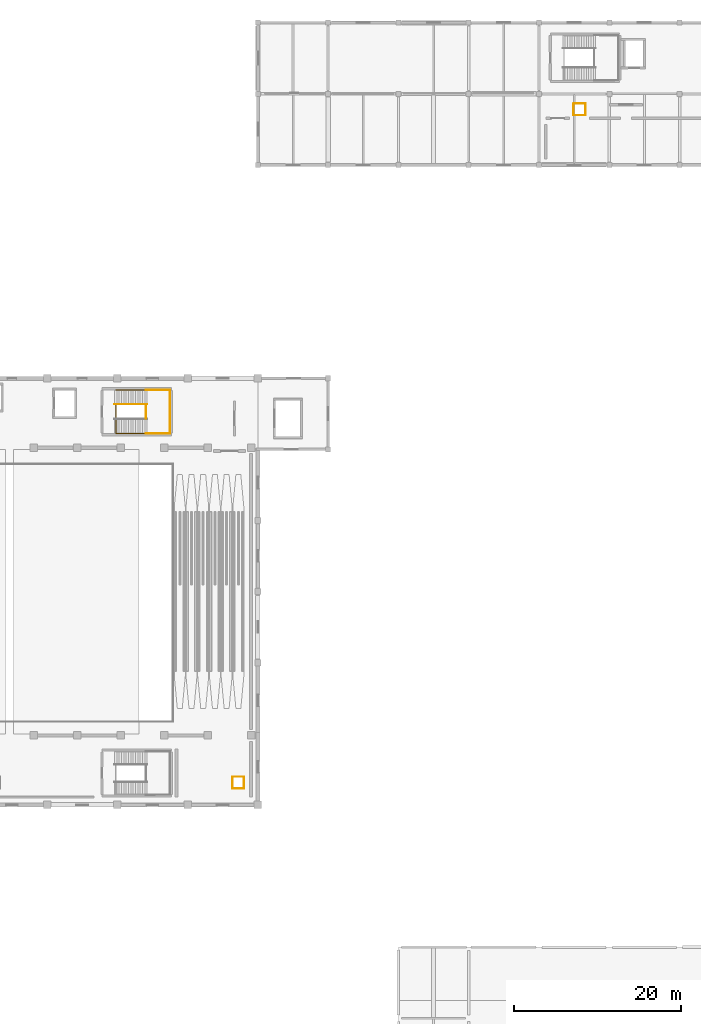
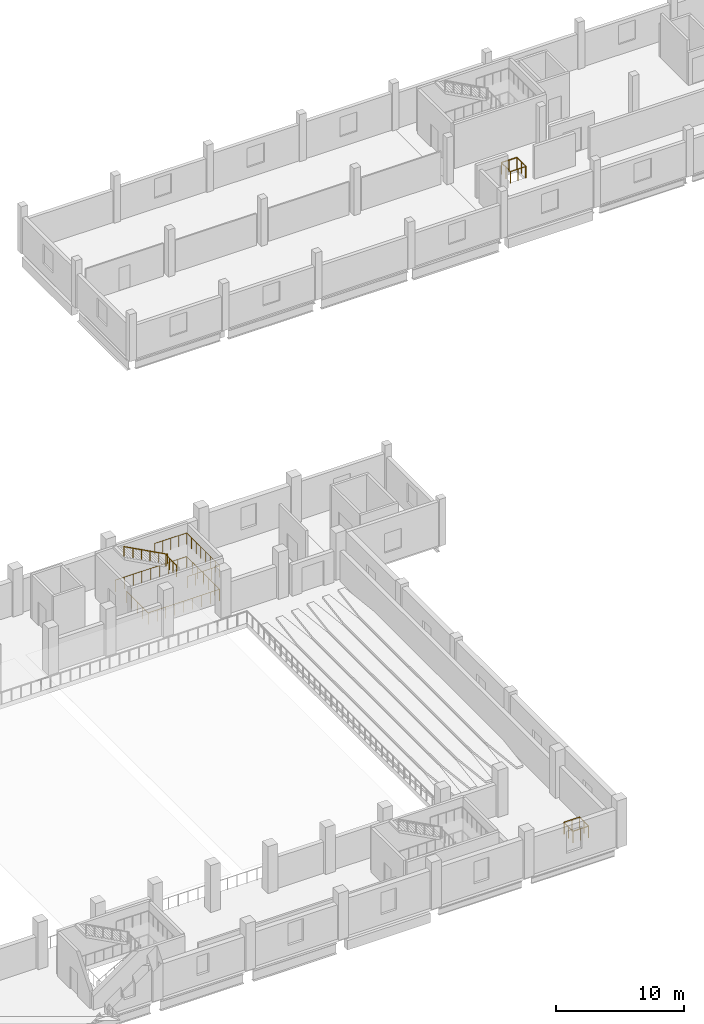
# One storey, part 48 of 50: 8 railings.
"""IFC4 building model written with IfcOpenShell, lengths in metres."""

from ifc_helpers import new_model, si_unit, direction, frame, origin, origin_2d, place, context, subcontext, project, spatial, circle, extrude, material, type_object, element, save


model = new_model("IFC4")

# Units and contexts
model_context = context("Model", 3, precision=1e-05, world=origin(), true_north=direction((0.0, 1.0)))
body_context = subcontext(model_context, "Body", "Model", "MODEL_VIEW")
ifc_project = project(units=[si_unit("LENGTHUNIT", "METRE"), si_unit("AREAUNIT", "SQUARE_METRE"), si_unit("VOLUMEUNIT", "CUBIC_METRE"), si_unit("PLANEANGLEUNIT", "RADIAN"), si_unit("MASSUNIT", "GRAM", prefix="KILO")], contexts=[model_context])

# Site, building, storey
site_placement = place(None, origin())
site = spatial("IfcSite", under=ifc_project, at=site_placement, CompositionType="ELEMENT")
building_placement = place(site_placement, origin())
building = spatial("IfcBuilding", under=site, at=building_placement, Name="Solvento Point Concert Hall", CompositionType="ELEMENT")
storey_placement = place(building_placement, frame((0.0, 0.0, 15.0)))
storey = spatial("IfcBuildingStorey", under=building, at=storey_placement, Name="L03", CompositionType="ELEMENT", Elevation=15.0)

# Railings
ifc_material_1 = material(Name="Brushed Stainless Steel Balustrade", Category="steel")
railing_type_1 = type_object("IfcRailingType", Name="StairHandrail_915", PredefinedType="HANDRAIL", material=ifc_material_1)
railing_1_placement = place(storey_placement, frame((119.969970703125, 90.389892578125, 2.39990234375)))
element("IfcRailing", 1, at=railing_1_placement, inside=storey, type_object=railing_type_1, Name="Stair handrail HR-01 ST-03 L03 F2", PredefinedType="HANDRAIL", context=body_context, shape_type="SweptSolid", body=[
    extrude(circle(Radius=0.0224609375, at=origin_2d()), frame((0.0, 0.0, 0.892578125), z_axis=(-0.881466911329, 0.0, 0.472245787945), x_axis=(0.0, -1.0, 0.0)), (0.0, 0.0, 1.0), 4.447021484375),
    extrude(circle(Radius=0.01904296875, at=origin_2d()), origin(), (0.0, 0.0, 1.0), 0.8701171875),
    extrude(circle(Radius=0.01904296875, at=origin_2d()), frame((-0.783935546875, 0.0, 0.419921875)), (0.0, 0.0, 1.0), 0.8701171875),
    extrude(circle(Radius=0.01904296875, at=origin_2d()), frame((-1.56787109375, 0.0, 0.840087890625)), (0.0, 0.0, 1.0), 0.8701171875),
    extrude(circle(Radius=0.01904296875, at=origin_2d()), frame((-2.35205078125, 0.0, 1.260009765625)), (0.0, 0.0, 1.0), 0.8701171875),
    extrude(circle(Radius=0.01904296875, at=origin_2d()), frame((-3.135986328125, 0.0, 1.68017578125)), (0.0, 0.0, 1.0), 0.8701171875),
    extrude(circle(Radius=0.01904296875, at=origin_2d()), frame((-3.919921875, 0.0, 2.10009765625)), (0.0, 0.0, 1.0), 0.8701171875),
])
ifc_material_2 = material(Name="Brushed Stainless Steel Balustrade", Category="steel")
railing_type_2 = type_object("IfcRailingType", Name="StairWellGuard_1100", PredefinedType="BALUSTRADE", material=ifc_material_2)
railing_2_placement = place(storey_placement, frame((116.219970703125, 90.340087890625, 0.0)))
element("IfcRailing", 2, at=railing_2_placement, inside=storey, type_object=railing_type_2, Name="Stairwell guard GR-02 ST-03 L03", PredefinedType="BALUSTRADE", context=body_context, shape_type="SweptSolid", body=[
    extrude(circle(Radius=0.02392578125, at=origin_2d()), frame((0.0, 0.0, 1.09619140625), z_axis=(0.0, -1.0, 0.0), x_axis=(1.0, 0.0, 0.0)), (0.0, 0.0, 1.0), 3.420166015625),
    extrude(circle(Radius=0.02392578125, at=origin_2d()), frame((0.0, -3.420166015625, 1.09619140625), z_axis=(1.0, 0.0, 0.0), x_axis=(0.0, 1.0, 0.0)), (0.0, 0.0, 1.0), 6.4599609375),
    extrude(circle(Radius=0.02392578125, at=origin_2d()), frame((6.4599609375, -3.420166015625, 1.09619140625), z_axis=(0.0, 1.0, 0.0), x_axis=(-1.0, 0.0, 0.0)), (0.0, 0.0, 1.0), 5.16015625),
    extrude(circle(Radius=0.02392578125, at=origin_2d()), frame((6.4599609375, 1.739990234375, 1.09619140625), z_axis=(-1.0, 0.0, 0.0), x_axis=(0.0, -1.0, 0.0)), (0.0, 0.0, 1.0), 6.4599609375),
    extrude(circle(Radius=0.02392578125, at=origin_2d()), frame((0.0, 1.739990234375, 1.09619140625), z_axis=(0.0, 1.0, 0.0), x_axis=(-1.0, 0.0, 0.0)), (0.0, 0.0, 1.0), 0.02001953125),
    extrude(circle(Radius=0.02099609375, at=origin_2d()), origin(), (0.0, 0.0, 1.0), 1.072021484375),
    extrude(circle(Radius=0.02099609375, at=origin_2d()), frame((0.0, -0.85498046875, 0.0)), (0.0, 0.0, 1.0), 1.072021484375),
    extrude(circle(Radius=0.02099609375, at=origin_2d()), frame((0.0, -1.7099609375, 0.0)), (0.0, 0.0, 1.0), 1.072021484375),
    extrude(circle(Radius=0.02099609375, at=origin_2d()), frame((0.0, -2.565185546875, 0.0)), (0.0, 0.0, 1.0), 1.072021484375),
    extrude(circle(Radius=0.02099609375, at=origin_2d()), frame((0.0, -3.420166015625, 0.0)), (0.0, 0.0, 1.0), 1.072021484375),
    extrude(circle(Radius=0.02099609375, at=origin_2d()), frame((0.8076171875, -3.420166015625, 0.0)), (0.0, 0.0, 1.0), 1.072021484375),
    extrude(circle(Radius=0.02099609375, at=origin_2d()), frame((1.614990234375, -3.420166015625, 0.0)), (0.0, 0.0, 1.0), 1.072021484375),
    extrude(circle(Radius=0.02099609375, at=origin_2d()), frame((2.42236328125, -3.420166015625, 0.0)), (0.0, 0.0, 1.0), 1.072021484375),
    extrude(circle(Radius=0.02099609375, at=origin_2d()), frame((3.22998046875, -3.420166015625, 0.0)), (0.0, 0.0, 1.0), 1.072021484375),
    extrude(circle(Radius=0.02099609375, at=origin_2d()), frame((4.03759765625, -3.420166015625, 0.0)), (0.0, 0.0, 1.0), 1.072021484375),
    extrude(circle(Radius=0.02099609375, at=origin_2d()), frame((4.844970703125, -3.420166015625, 0.0)), (0.0, 0.0, 1.0), 1.072021484375),
    extrude(circle(Radius=0.02099609375, at=origin_2d()), frame((5.65234375, -3.420166015625, 0.0)), (0.0, 0.0, 1.0), 1.072021484375),
    extrude(circle(Radius=0.02099609375, at=origin_2d()), frame((6.4599609375, -3.420166015625, 0.0)), (0.0, 0.0, 1.0), 1.072021484375),
    extrude(circle(Radius=0.02099609375, at=origin_2d()), frame((6.4599609375, -2.56005859375, 0.0)), (0.0, 0.0, 1.0), 1.072021484375),
    extrude(circle(Radius=0.02099609375, at=origin_2d()), frame((6.4599609375, -1.7001953125, 0.0)), (0.0, 0.0, 1.0), 1.072021484375),
    extrude(circle(Radius=0.02099609375, at=origin_2d()), frame((6.4599609375, -0.840087890625, 0.0)), (0.0, 0.0, 1.0), 1.072021484375),
    extrude(circle(Radius=0.02099609375, at=origin_2d()), frame((6.4599609375, 0.02001953125, 0.0)), (0.0, 0.0, 1.0), 1.072021484375),
    extrude(circle(Radius=0.02099609375, at=origin_2d()), frame((6.4599609375, 0.8798828125, 0.0)), (0.0, 0.0, 1.0), 1.072021484375),
    extrude(circle(Radius=0.02099609375, at=origin_2d()), frame((6.4599609375, 1.739990234375, 0.0)), (0.0, 0.0, 1.0), 1.072021484375),
    extrude(circle(Radius=0.02099609375, at=origin_2d()), frame((5.65234375, 1.739990234375, 0.0)), (0.0, 0.0, 1.0), 1.072021484375),
    extrude(circle(Radius=0.02099609375, at=origin_2d()), frame((4.844970703125, 1.739990234375, 0.0)), (0.0, 0.0, 1.0), 1.072021484375),
    extrude(circle(Radius=0.02099609375, at=origin_2d()), frame((4.03759765625, 1.739990234375, 0.0)), (0.0, 0.0, 1.0), 1.072021484375),
    extrude(circle(Radius=0.02099609375, at=origin_2d()), frame((3.22998046875, 1.739990234375, 0.0)), (0.0, 0.0, 1.0), 1.072021484375),
    extrude(circle(Radius=0.02099609375, at=origin_2d()), frame((2.42236328125, 1.739990234375, 0.0)), (0.0, 0.0, 1.0), 1.072021484375),
    extrude(circle(Radius=0.02099609375, at=origin_2d()), frame((1.614990234375, 1.739990234375, 0.0)), (0.0, 0.0, 1.0), 1.072021484375),
    extrude(circle(Radius=0.02099609375, at=origin_2d()), frame((0.8076171875, 1.739990234375, 0.0)), (0.0, 0.0, 1.0), 1.072021484375),
    extrude(circle(Radius=0.02099609375, at=origin_2d()), frame((0.0, 1.739990234375, 0.0)), (0.0, 0.0, 1.0), 1.072021484375),
    extrude(circle(Radius=0.02099609375, at=origin_2d()), frame((0.0, 1.760009765625, 0.0)), (0.0, 0.0, 1.0), 1.072021484375),
])
railing_3_placement = place(storey_placement, frame((119.800048828125, 86.89990234375, 2.25)))
element("IfcRailing", 3, at=railing_3_placement, inside=storey, type_object=railing_type_2, Name="Half-landing perimeter guard GR-02 ST-03 L03", PredefinedType="BALUSTRADE", context=body_context, shape_type="SweptSolid", body=[
    extrude(circle(Radius=0.02392578125, at=origin_2d()), frame((0.0, 0.0, 1.09619140625), z_axis=(0.999976171564, 0.006903354611, 0.0), x_axis=(-0.006903354611, 0.999976171564, 0.0)), (0.0, 0.0, 1.0), 2.89990234375),
    extrude(circle(Radius=0.02392578125, at=origin_2d()), frame((2.89990234375, 0.02001953125, 1.09619140625), z_axis=(0.0, 1.0, 0.0), x_axis=(-1.0, 0.0, 0.0)), (0.0, 0.0, 1.0), 5.16015625),
    extrude(circle(Radius=0.02392578125, at=origin_2d()), frame((2.89990234375, 5.18017578125, 1.09619140625), z_axis=(-0.999976171564, 0.006903354611, 0.0), x_axis=(-0.006903354611, -0.999976171564, 0.0)), (0.0, 0.0, 1.0), 2.89990234375),
    extrude(circle(Radius=0.02099609375, at=origin_2d()), origin(), (0.0, 0.0, 1.0), 1.072021484375),
    extrude(circle(Radius=0.02099609375, at=origin_2d()), frame((0.72509765625, 0.0048828125, 0.0)), (0.0, 0.0, 1.0), 1.072021484375),
    extrude(circle(Radius=0.02099609375, at=origin_2d()), frame((1.449951171875, 0.010009765625, 0.0)), (0.0, 0.0, 1.0), 1.072021484375),
    extrude(circle(Radius=0.02099609375, at=origin_2d()), frame((2.1748046875, 0.01513671875, 0.0)), (0.0, 0.0, 1.0), 1.072021484375),
    extrude(circle(Radius=0.02099609375, at=origin_2d()), frame((2.89990234375, 0.02001953125, 0.0)), (0.0, 0.0, 1.0), 1.072021484375),
    extrude(circle(Radius=0.02099609375, at=origin_2d()), frame((2.89990234375, 0.757080078125, 0.0)), (0.0, 0.0, 1.0), 1.072021484375),
    extrude(circle(Radius=0.02099609375, at=origin_2d()), frame((2.89990234375, 1.494384765625, 0.0)), (0.0, 0.0, 1.0), 1.072021484375),
    extrude(circle(Radius=0.02099609375, at=origin_2d()), frame((2.89990234375, 2.2314453125, 0.0)), (0.0, 0.0, 1.0), 1.072021484375),
    extrude(circle(Radius=0.02099609375, at=origin_2d()), frame((2.89990234375, 2.96875, 0.0)), (0.0, 0.0, 1.0), 1.072021484375),
    extrude(circle(Radius=0.02099609375, at=origin_2d()), frame((2.89990234375, 3.705810546875, 0.0)), (0.0, 0.0, 1.0), 1.072021484375),
    extrude(circle(Radius=0.02099609375, at=origin_2d()), frame((2.89990234375, 4.443115234375, 0.0)), (0.0, 0.0, 1.0), 1.072021484375),
    extrude(circle(Radius=0.02099609375, at=origin_2d()), frame((2.89990234375, 5.18017578125, 0.0)), (0.0, 0.0, 1.0), 1.072021484375),
    extrude(circle(Radius=0.02099609375, at=origin_2d()), frame((2.1748046875, 5.18505859375, 0.0)), (0.0, 0.0, 1.0), 1.072021484375),
    extrude(circle(Radius=0.02099609375, at=origin_2d()), frame((1.449951171875, 5.190185546875, 0.0)), (0.0, 0.0, 1.0), 1.072021484375),
    extrude(circle(Radius=0.02099609375, at=origin_2d()), frame((0.72509765625, 5.1953125, 0.0)), (0.0, 0.0, 1.0), 1.072021484375),
    extrude(circle(Radius=0.02099609375, at=origin_2d()), frame((0.0, 5.2001953125, 0.0)), (0.0, 0.0, 1.0), 1.072021484375),
])
railing_4_placement = place(storey_placement, frame((119.800048828125, 88.659912109375, 2.25)))
element("IfcRailing", 4, at=railing_4_placement, inside=storey, type_object=railing_type_2, Name="Half-landing slot guard GR-02 ST-03 L03", PredefinedType="BALUSTRADE", context=body_context, shape_type="SweptSolid", body=[
    extrude(circle(Radius=0.02392578125, at=origin_2d()), frame((0.0, 0.0, 1.09619140625), z_axis=(0.0, 1.0, 0.0), x_axis=(-1.0, 0.0, 0.0)), (0.0, 0.0, 1.0), 1.68017578125),
    extrude(circle(Radius=0.02099609375, at=origin_2d()), origin(), (0.0, 0.0, 1.0), 1.072021484375),
    extrude(circle(Radius=0.02099609375, at=origin_2d()), frame((0.0, 0.56005859375, 0.0)), (0.0, 0.0, 1.0), 1.072021484375),
    extrude(circle(Radius=0.02099609375, at=origin_2d()), frame((0.0, 1.1201171875, 0.0)), (0.0, 0.0, 1.0), 1.072021484375),
    extrude(circle(Radius=0.02099609375, at=origin_2d()), frame((0.0, 1.68017578125, 0.0)), (0.0, 0.0, 1.0), 1.072021484375),
])
ifc_material_3 = material(Name="Brushed Stainless Steel Balustrade", Category="steel")
railing_type_3 = type_object("IfcRailingType", Name="TerraceBalustrade_1100", PredefinedType="BALUSTRADE", material=ifc_material_3)
railing_5_placement = place(storey_placement, frame((172.360107421875, 124.969970703125, 0.0)))
element("IfcRailing", 5, at=railing_5_placement, inside=storey, type_object=railing_type_3, Name="Guard balustrade GR-01 L03", PredefinedType="BALUSTRADE", context=body_context, shape_type="SweptSolid", body=[
    extrude(circle(Radius=0.02392578125, at=origin_2d()), frame((0.0, 0.0, 1.09619140625), z_axis=(0.0, 1.0, 0.0), x_axis=(-1.0, 0.0, 0.0)), (0.0, 0.0, 1.0), 1.39013671875),
    extrude(circle(Radius=0.02392578125, at=origin_2d()), frame((0.0, 1.39013671875, 1.09619140625), z_axis=(-1.0, 0.0, 0.0), x_axis=(0.0, -1.0, 0.0)), (0.0, 0.0, 1.0), 1.39013671875),
    extrude(circle(Radius=0.02099609375, at=origin_2d()), origin(), (0.0, 0.0, 1.0), 1.072021484375),
    extrude(circle(Radius=0.02099609375, at=origin_2d()), frame((0.0, 0.695068359375, 0.0)), (0.0, 0.0, 1.0), 1.072021484375),
    extrude(circle(Radius=0.02099609375, at=origin_2d()), frame((0.0, 1.39013671875, 0.0)), (0.0, 0.0, 1.0), 1.072021484375),
    extrude(circle(Radius=0.02099609375, at=origin_2d()), frame((-0.695068359375, 1.39013671875, 0.0)), (0.0, 0.0, 1.0), 1.072021484375),
    extrude(circle(Radius=0.02099609375, at=origin_2d()), frame((-1.39013671875, 1.39013671875, 0.0)), (0.0, 0.0, 1.0), 1.072021484375),
])
railing_6_placement = place(storey_placement, frame((170.93994140625, 126.330078125, 0.0)))
element("IfcRailing", 6, at=railing_6_placement, inside=storey, type_object=railing_type_3, Name="Guard balustrade GR-01 L03", PredefinedType="BALUSTRADE", context=body_context, shape_type="SweptSolid", body=[
    extrude(circle(Radius=0.02392578125, at=origin_2d()), frame((0.0, 0.0, 1.09619140625), z_axis=(0.0, -1.0, 0.0), x_axis=(1.0, 0.0, 0.0)), (0.0, 0.0, 1.0), 1.39013671875),
    extrude(circle(Radius=0.02392578125, at=origin_2d()), frame((0.0, -1.39013671875, 1.09619140625), z_axis=(1.0, 0.0, 0.0), x_axis=(0.0, 1.0, 0.0)), (0.0, 0.0, 1.0), 1.39013671875),
    extrude(circle(Radius=0.02099609375, at=origin_2d()), origin(), (0.0, 0.0, 1.0), 1.072021484375),
    extrude(circle(Radius=0.02099609375, at=origin_2d()), frame((0.0, -0.695068359375, 0.0)), (0.0, 0.0, 1.0), 1.072021484375),
    extrude(circle(Radius=0.02099609375, at=origin_2d()), frame((0.0, -1.39013671875, 0.0)), (0.0, 0.0, 1.0), 1.072021484375),
    extrude(circle(Radius=0.02099609375, at=origin_2d()), frame((0.695068359375, -1.39013671875, 0.0)), (0.0, 0.0, 1.0), 1.072021484375),
    extrude(circle(Radius=0.02099609375, at=origin_2d()), frame((1.39013671875, -1.39013671875, 0.0)), (0.0, 0.0, 1.0), 1.072021484375),
])
railing_7_placement = place(storey_placement, frame((131.56005859375, 44.469970703125, 0.0)))
element("IfcRailing", 7, at=railing_7_placement, inside=storey, type_object=railing_type_3, Name="Guard balustrade GR-01 L03", PredefinedType="BALUSTRADE", context=body_context, shape_type="SweptSolid", body=[
    extrude(circle(Radius=0.02392578125, at=origin_2d()), frame((0.0, 0.0, 1.09619140625), z_axis=(0.0, 1.0, 0.0), x_axis=(-1.0, 0.0, 0.0)), (0.0, 0.0, 1.0), 1.39013671875),
    extrude(circle(Radius=0.02392578125, at=origin_2d()), frame((0.0, 1.39013671875, 1.09619140625), z_axis=(-1.0, 0.0, 0.0), x_axis=(0.0, -1.0, 0.0)), (0.0, 0.0, 1.0), 1.39013671875),
    extrude(circle(Radius=0.02099609375, at=origin_2d()), origin(), (0.0, 0.0, 1.0), 1.072021484375),
    extrude(circle(Radius=0.02099609375, at=origin_2d()), frame((0.0, 0.695068359375, 0.0)), (0.0, 0.0, 1.0), 1.072021484375),
    extrude(circle(Radius=0.02099609375, at=origin_2d()), frame((0.0, 1.39013671875, 0.0)), (0.0, 0.0, 1.0), 1.072021484375),
    extrude(circle(Radius=0.02099609375, at=origin_2d()), frame((-0.695068359375, 1.39013671875, 0.0)), (0.0, 0.0, 1.0), 1.072021484375),
    extrude(circle(Radius=0.02099609375, at=origin_2d()), frame((-1.39013671875, 1.39013671875, 0.0)), (0.0, 0.0, 1.0), 1.072021484375),
])
railing_8_placement = place(storey_placement, frame((130.139892578125, 45.830078125, 0.0)))
element("IfcRailing", 8, at=railing_8_placement, inside=storey, type_object=railing_type_3, Name="Guard balustrade GR-01 L03", PredefinedType="BALUSTRADE", context=body_context, shape_type="SweptSolid", body=[
    extrude(circle(Radius=0.02392578125, at=origin_2d()), frame((0.0, 0.0, 1.09619140625), z_axis=(0.0, -1.0, 0.0), x_axis=(1.0, 0.0, 0.0)), (0.0, 0.0, 1.0), 1.39013671875),
    extrude(circle(Radius=0.02392578125, at=origin_2d()), frame((0.0, -1.39013671875, 1.09619140625), z_axis=(1.0, 0.0, 0.0), x_axis=(0.0, 1.0, 0.0)), (0.0, 0.0, 1.0), 1.39013671875),
    extrude(circle(Radius=0.02099609375, at=origin_2d()), origin(), (0.0, 0.0, 1.0), 1.072021484375),
    extrude(circle(Radius=0.02099609375, at=origin_2d()), frame((0.0, -0.695068359375, 0.0)), (0.0, 0.0, 1.0), 1.072021484375),
    extrude(circle(Radius=0.02099609375, at=origin_2d()), frame((0.0, -1.39013671875, 0.0)), (0.0, 0.0, 1.0), 1.072021484375),
    extrude(circle(Radius=0.02099609375, at=origin_2d()), frame((0.695068359375, -1.39013671875, 0.0)), (0.0, 0.0, 1.0), 1.072021484375),
    extrude(circle(Radius=0.02099609375, at=origin_2d()), frame((1.39013671875, -1.39013671875, 0.0)), (0.0, 0.0, 1.0), 1.072021484375),
])

save(model, "model.ifc")
